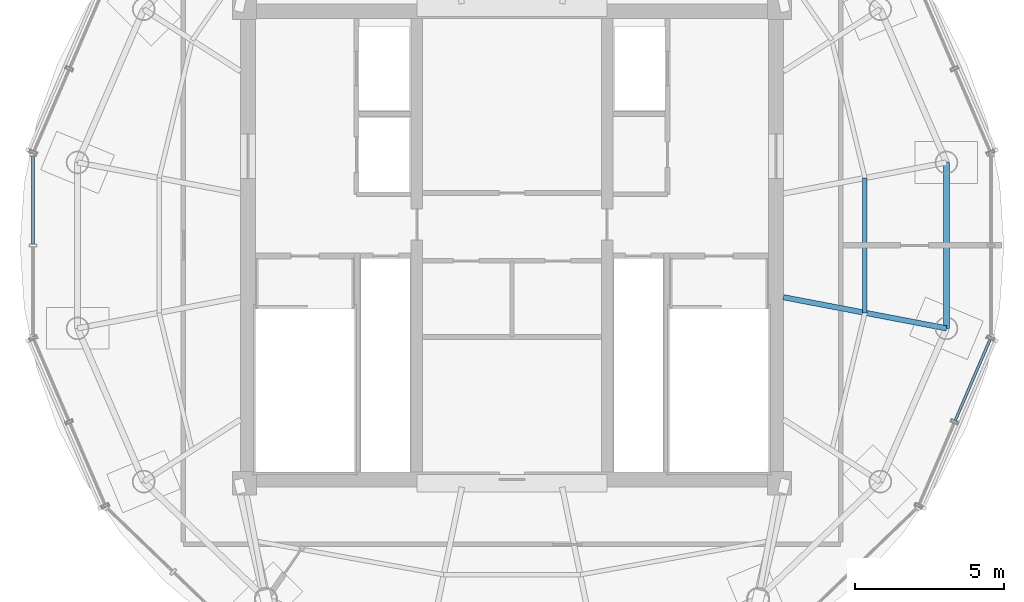
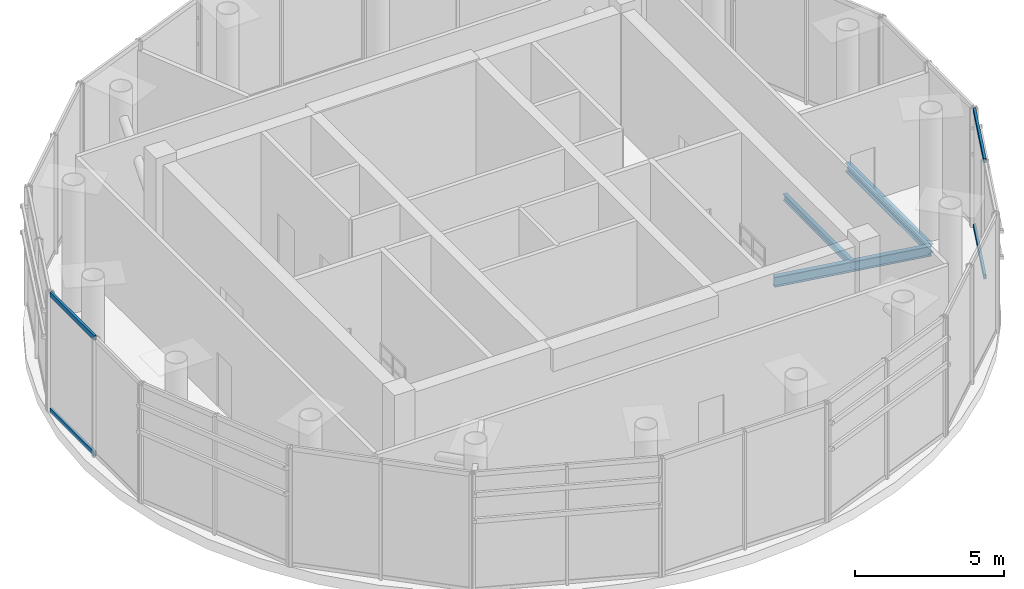
# One storey, part 5 of 13: 4 members, 3 beams, 2 elements without a shape of their own.
"""IFC4 building model written with IfcOpenShell, lengths in metres."""

from ifc_helpers import new_model, si_unit, direction, frame, origin, origin_2d, place, context, subcontext, project, spatial, hollow_rectangle, i_section, extrude, source, transform, mapped, material, material_profile, profile_set, type_object, element, aggregate, save


model = new_model("IFC4")

# Units and contexts
model_context = context("Model", 3, precision=1e-05, world=origin(), true_north=direction((-0.2419218956, 0.970295726276)))
body_context = subcontext(model_context, "Body", "Model", "MODEL_VIEW")
ifc_project = project(units=[si_unit("LENGTHUNIT", "METRE"), si_unit("AREAUNIT", "SQUARE_METRE"), si_unit("VOLUMEUNIT", "CUBIC_METRE"), si_unit("PLANEANGLEUNIT", "RADIAN"), si_unit("MASSUNIT", "GRAM", prefix="KILO")], contexts=[model_context])

# Site, building, storey
site_placement = place(None, origin())
site = spatial("IfcSite", under=ifc_project, at=site_placement, CompositionType="ELEMENT")
building_placement = place(site_placement, origin())
building = spatial("IfcBuilding", under=site, at=building_placement, Name="Cobrevalo Terracotta Tower", CompositionType="ELEMENT")
storey_placement = place(building_placement, frame((0.0, 0.0, 332.10009765625)))
storey = spatial("IfcBuildingStorey", under=building, at=storey_placement, Name="L85", CompositionType="ELEMENT", Elevation=332.10009765625)

# Beams
ifc_material_1 = material(Name="Steel S355", Category="steel")
ifc_material_profile_1 = material_profile(ifc_material_1, i_section(OverallWidth=0.179931640625, OverallDepth=0.4130859375, WebThickness=0.009765625, FlangeThickness=0.01611328125, at=origin_2d()), Name="W 410x75")
ifc_profile_set_1 = profile_set([ifc_material_profile_1], Name="Steel S355")
beam_type_1 = type_object("IfcBeamType", Name="Structural Beam W 410x75 (Steel S355)", PredefinedType="BEAM", material=ifc_profile_set_1)
beam_1_placement = place(storey_placement, frame((52.61376953125, 24.01025390625, -0.626708984375), z_axis=(-0.982261932892, 0.187513986655, 0.0), x_axis=(-0.187513986655, -0.982261932892, 0.0)))
element("IfcBeam", 1, at=beam_1_placement, inside=storey, type_object=beam_type_1, Name="L85 radial floor girder 16", PredefinedType="BEAM", context=body_context, shape_type="SweptSolid", body=[
    extrude(i_section(OverallWidth=0.179931640625, OverallDepth=0.4130859375, WebThickness=0.009765625, FlangeThickness=0.01611328125, at=origin_2d()), origin(), (0.0, 0.0, 1.0), 5.5830078125),
])
ifc_material_profile_2 = material_profile(ifc_material_1, i_section(OverallWidth=0.14794921875, OverallDepth=0.26611328125, WebThickness=0.007568359375, FlangeThickness=0.012939453125, at=origin_2d()), Name="W 250x44.8")
ifc_profile_set_2 = profile_set([ifc_material_profile_2], Name="Steel S355")
beam_type_2 = type_object("IfcBeamType", Name="Structural Joist W 250x44.8 (Steel S355)", PredefinedType="JOIST", material=ifc_profile_set_2)
beam_2_placement = place(storey_placement, frame((49.871826171875, 24.53369140625, -0.552978515625), z_axis=(0.0, 1.0, 0.0), x_axis=(-1.0, 0.0, 0.0)))
element("IfcBeam", 2, at=beam_2_placement, inside=storey, type_object=beam_type_2, Name="L85 circumferential secondary floor joist 16", PredefinedType="JOIST", context=body_context, shape_type="SweptSolid", body=[
    extrude(i_section(OverallWidth=0.14794921875, OverallDepth=0.26611328125, WebThickness=0.007568359375, FlangeThickness=0.012939453125, at=origin_2d()), origin(), (0.0, 0.0, 1.0), 4.53271484375),
])
ifc_material_profile_3 = material_profile(ifc_material_1, i_section(OverallWidth=0.205078125, OverallDepth=0.35400390625, WebThickness=0.009521484375, FlangeThickness=0.016845703125, at=origin_2d()), Name="W 360x79")
ifc_profile_set_3 = profile_set([ifc_material_profile_3], Name="Steel S355")
beam_type_3 = type_object("IfcBeamType", Name="Structural Spandrel W 360x79 (Steel S355)", PredefinedType="SPANDREL", material=ifc_profile_set_3)
beam_3_placement = place(storey_placement, frame((52.61376953125, 24.01025390625, -0.59716796875), z_axis=(0.0, 1.0, 0.0), x_axis=(-1.0, 0.0, 0.0)))
element("IfcBeam", 3, at=beam_3_placement, inside=storey, type_object=beam_type_3, Name="L85 perimeter ring spandrel 16", PredefinedType="SPANDREL", context=body_context, shape_type="SweptSolid", body=[
    extrude(i_section(OverallWidth=0.205078125, OverallDepth=0.35400390625, WebThickness=0.009521484375, FlangeThickness=0.016845703125, at=origin_2d()), origin(), (0.0, 0.0, 1.0), 5.57958984375),
])

# Curtain wall, members
ifc_material_2 = material(Name="Anodized aluminium", Category="aluminium")
curtain_wall_type = type_object("IfcCurtainWallType", Name="Faceted glass-point crown structural glazing system CW-CR", PredefinedType="NOTDEFINED", material=ifc_material_2)
curtain_wall_1_placement = place(storey_placement, origin())
curtain_wall_1 = element("IfcCurtainWall", 4, at=curtain_wall_1_placement, inside=storey, type_object=curtain_wall_type, Name="L85 curtain wall CW-CRN-L85-S15", PredefinedType="NOTDEFINED")
ifc_material_profile_4 = material_profile(ifc_material_2, hollow_rectangle(XDim=0.090087890625, YDim=0.195068359375, WallThickness=0.005615234375, at=origin_2d()), Name="CWT 90x195")
ifc_profile_set_4 = profile_set([ifc_material_profile_4], Name="Anodized aluminium")
member_type = type_object("IfcMemberType", Name="Crown structural aluminium transom 90x195", PredefinedType="USERDEFINED", material=ifc_profile_set_4)
shared_shape_1 = source(origin(), body_context, "Body", "SweptSolid", [
    extrude(hollow_rectangle(XDim=0.090087890625, YDim=0.195068359375, WallThickness=0.005615234375, at=origin_2d()), origin(), (0.0, 0.0, 1.0), 2.985595703125),
])
member_1_placement = place(storey_placement, frame((52.903564453125, 20.895263671875, 0.0498046875), z_axis=(0.39495528775, 0.918700343245, 0.0), x_axis=(-0.918700343245, 0.39495528775, 0.0)))
member_1 = element("IfcMember", 5, at=member_1_placement, type_object=member_type, Name="CW-CRN-L85-S15 transom B02-T1", ObjectType="TRANSOM", PredefinedType="USERDEFINED", context=body_context, shape_type="MappedRepresentation", body=[
    mapped(shared_shape_1, transform((0.0, 0.0, 0.0), scale=1.0)),
])
member_2_placement = place(storey_placement, frame((52.903564453125, 20.895263671875, 4.7998046875), z_axis=(0.39495528775, 0.918700343245, 0.0), x_axis=(-0.918700343245, 0.39495528775, 0.0)))
member_2 = element("IfcMember", 6, at=member_2_placement, type_object=member_type, Name="CW-CRN-L85-S15 transom B02-T2", ObjectType="TRANSOM", PredefinedType="USERDEFINED", context=body_context, shape_type="MappedRepresentation", body=[
    mapped(shared_shape_1, transform((0.0, 0.0, 0.0), scale=1.0)),
])
aggregate(curtain_wall_1, [member_1, member_2])

curtain_wall_2_placement = place(storey_placement, origin())
curtain_wall_2 = element("IfcCurtainWall", 7, at=curtain_wall_2_placement, inside=storey, type_object=curtain_wall_type, Name="L85 curtain wall CW-CRN-L85-S08", PredefinedType="NOTDEFINED")
shared_shape_2 = source(origin(), body_context, "Body", "SweptSolid", [
    extrude(hollow_rectangle(XDim=0.090087890625, YDim=0.195068359375, WallThickness=0.005615234375, at=origin_2d()), origin(), (0.0, 0.0, 1.0), 2.96826171875),
])
member_3_placement = place(storey_placement, frame((21.8857421875, 29.808349609375, 0.0498046875), z_axis=(0.0, -1.0, 0.0), x_axis=(1.0, 0.0, 0.0)))
member_3 = element("IfcMember", 8, at=member_3_placement, type_object=member_type, Name="CW-CRN-L85-S08 transom B01-T1", ObjectType="TRANSOM", PredefinedType="USERDEFINED", context=body_context, shape_type="MappedRepresentation", body=[
    mapped(shared_shape_2, transform((0.0, 0.0, 0.0), scale=1.0)),
])
member_4_placement = place(storey_placement, frame((21.8857421875, 29.808349609375, 4.7998046875), z_axis=(0.0, -1.0, 0.0), x_axis=(1.0, 0.0, 0.0)))
member_4 = element("IfcMember", 9, at=member_4_placement, type_object=member_type, Name="CW-CRN-L85-S08 transom B01-T2", ObjectType="TRANSOM", PredefinedType="USERDEFINED", context=body_context, shape_type="MappedRepresentation", body=[
    mapped(shared_shape_2, transform((0.0, 0.0, 0.0), scale=1.0)),
])
aggregate(curtain_wall_2, [member_3, member_4])

save(model, "model.ifc")
